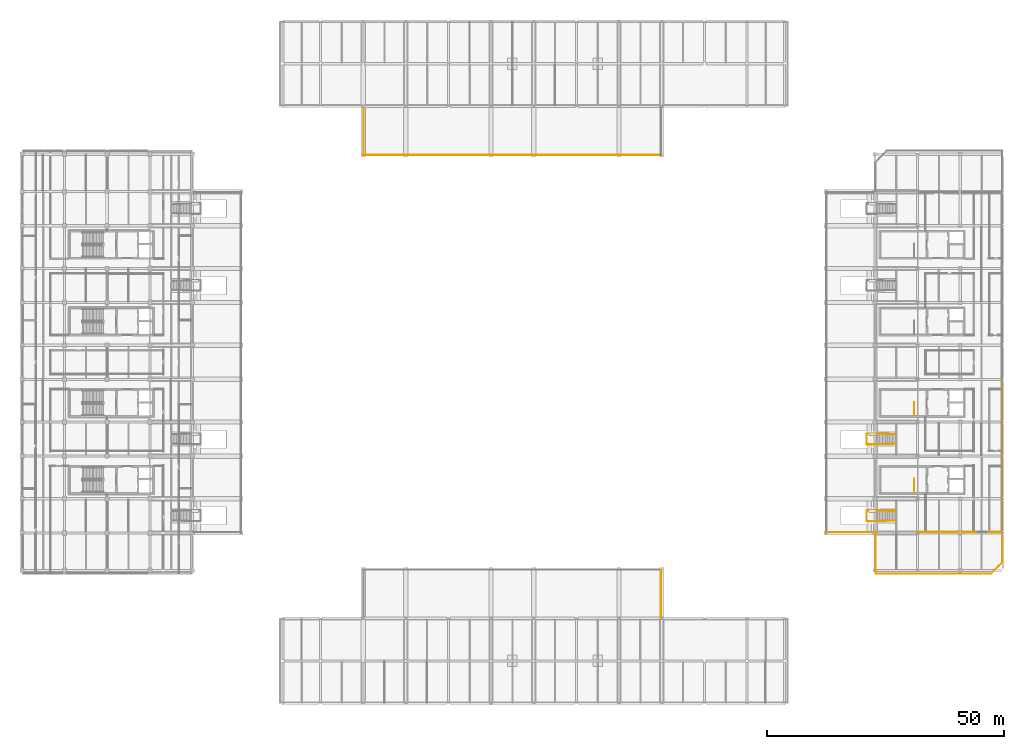
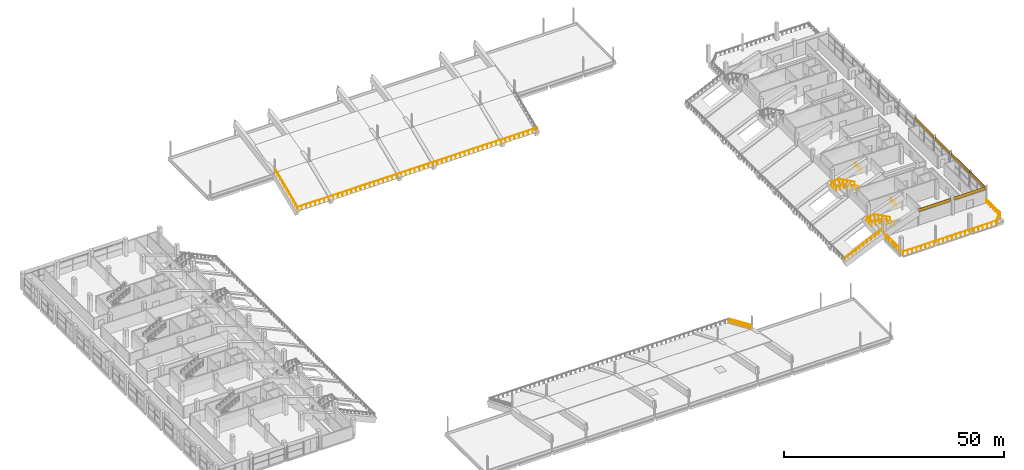
# One storey, part 65 of 66: 12 railings, 6 coverings.
"""IFC4 building model written with IfcOpenShell, lengths in metres."""

from ifc_helpers import new_model, si_unit, direction, frame, origin, origin_2d, place, context, subcontext, project, spatial, rectangle, circle, extrude, material, layer, layer_set, type_object, element, save


model = new_model("IFC4")

# Units and contexts
model_context = context("Model", 3, precision=1e-05, world=origin(), true_north=direction((0.0, 1.0)))
body_context = subcontext(model_context, "Body", "Model", "MODEL_VIEW")
ifc_project = project(units=[si_unit("LENGTHUNIT", "METRE"), si_unit("AREAUNIT", "SQUARE_METRE"), si_unit("VOLUMEUNIT", "CUBIC_METRE"), si_unit("PLANEANGLEUNIT", "RADIAN"), si_unit("MASSUNIT", "GRAM", prefix="KILO"), si_unit("THERMODYNAMICTEMPERATUREUNIT", "KELVIN"), si_unit("POWERUNIT", "WATT")], contexts=[model_context])

# Site, building, storey
site_placement = place(None, origin())
site = spatial("IfcSite", under=ifc_project, at=site_placement, CompositionType="ELEMENT")
building_placement = place(site_placement, origin())
building = spatial("IfcBuilding", under=site, at=building_placement, Name="Sindhuravela Promenade Stadium", CompositionType="ELEMENT")
storey_placement = place(building_placement, frame((0.0, 0.0, 19.199951171875)))
storey = spatial("IfcBuildingStorey", under=building, at=storey_placement, Name="L04", CompositionType="ELEMENT", Elevation=19.199951171875)

# Coverings
ifc_material_1 = material(Name="Polychrome trencadis ceramic mosaic", Category="masonry")
ifc_layer_1 = layer(ifc_material_1, 0.034912109375)
ifc_layer_set_1 = layer_set([ifc_layer_1], Name="Polychrome trencadis ceramic mosaic")
covering_type_1 = type_object("IfcCoveringType", Name="CV-TRENC-1", PredefinedType="CLADDING", material=ifc_layer_set_1)
for number, where, z_axis, x_axis, name in (
    (1, (206.820068359375, 72.89990234375, 3.55517578125), (0.0, 0.0, 1.0), (0.0, -1.0, 0.0), "Trencadis ceramic mosaic spandrel frieze EAST L04-234"),
    (2, (206.820068359375, 56.699951171875, 3.55517578125), (0.0, 0.0, 1.0), (0.0, -1.0, 0.0), "Trencadis ceramic mosaic spandrel frieze EAST L04-236"),
):
    element("IfcCovering", number, at=place(storey_placement, frame(where, z_axis=z_axis, x_axis=x_axis)), inside=storey, type_object=covering_type_1, Name=name, PredefinedType="CLADDING", context=body_context, shape_type="SweptSolid", body=[
        extrude(rectangle(XDim=8.570068359375, YDim=0.034912109375, at=origin_2d()), origin(), (0.0, 0.0, 1.0), 0.905029296875),
    ])
covering_1_placement = place(storey_placement, frame((202.590087890625, 45.179931640625, 3.55517578125), z_axis=(0.0, 0.0, 1.0), x_axis=(-1.0, 0.0, 0.0)))
element("IfcCovering", 3, at=covering_1_placement, inside=storey, type_object=covering_type_1, Name="Trencadis ceramic mosaic spandrel frieze EAST L04-238", PredefinedType="CLADDING", context=body_context, shape_type="SweptSolid", body=[
    extrude(rectangle(XDim=8.300048828125, YDim=0.034912109375, at=origin_2d()), origin(), (0.0, 0.0, 1.0), 0.905029296875),
])
ifc_layer_2 = layer(ifc_material_1, 0.050048828125)
ifc_layer_set_2 = layer_set([ifc_layer_2], Name="Polychrome trencadis ceramic mosaic")
covering_type_2 = type_object("IfcCoveringType", Name="CV-TRENC-2", PredefinedType="CLADDING", material=ifc_layer_set_2)
covering_2_placement = place(storey_placement, frame((206.820068359375, 64.800048828125, 3.55517578125), z_axis=(0.0, 0.0, 1.0), x_axis=(0.0, -1.0, 0.0)))
element("IfcCovering", 4, at=covering_2_placement, inside=storey, type_object=covering_type_2, Name="Trencadis ceramic mosaic spandrel frieze EAST L04-235", PredefinedType="CLADDING", context=body_context, shape_type="SweptSolid", body=[
    extrude(rectangle(XDim=6.77001953125, YDim=0.050048828125, at=origin_2d()), origin(), (0.0, 0.0, 1.0), 0.905029296875),
])
covering_3_placement = place(storey_placement, frame((206.820068359375, 48.62255859375, 3.55517578125), z_axis=(0.0, 0.0, 1.0), x_axis=(0.0, -1.0, 0.0)))
element("IfcCovering", 5, at=covering_3_placement, inside=storey, type_object=covering_type_2, Name="Trencadis ceramic mosaic spandrel frieze EAST L04-237", PredefinedType="CLADDING", context=body_context, shape_type="SweptSolid", body=[
    extrude(rectangle(XDim=6.72509765625, YDim=0.050048828125, at=origin_2d()), origin(), (0.0, 0.0, 1.0), 0.905029296875),
])
covering_4_placement = place(storey_placement, frame((193.387451171875, 45.179931640625, 3.55517578125), z_axis=(0.0, 0.0, 1.0), x_axis=(-1.0, 0.0, 0.0)))
element("IfcCovering", 6, at=covering_4_placement, inside=storey, type_object=covering_type_2, Name="Trencadis ceramic mosaic spandrel frieze EAST L04-239", PredefinedType="CLADDING", context=body_context, shape_type="SweptSolid", body=[
    extrude(rectangle(XDim=8.344970703125, YDim=0.050048828125, at=origin_2d()), origin(), (0.0, 0.0, 1.0), 0.905029296875),
])

# Railings
ifc_material_2 = material(Name="Architectural wrought steel E350", Category="steel")
railing_type_1 = type_object("IfcRailingType", Name="RL-BAL-1150", PredefinedType="BALUSTRADE", material=ifc_material_2)
railing_1_placement = place(storey_placement, frame((180.139892578125, 36.389892578125, 0.0)))
element("IfcRailing", 7, at=railing_1_placement, inside=storey, type_object=railing_type_1, Name="Terrace wrought balustrade BL01-33", PredefinedType="BALUSTRADE", context=body_context, shape_type="SweptSolid", body=[
    extrude(circle(Radius=0.02392578125, at=origin_2d()), frame((0.0, 0.0, 1.1259765625), z_axis=(0.0, 1.0, 0.0), x_axis=(-1.0, 0.0, 0.0)), (0.0, 0.0, 1.0), 8.47021484375),
    extrude(circle(Radius=0.02099609375, at=origin_2d()), origin(), (0.0, 0.0, 1.0), 1.101806640625),
    extrude(circle(Radius=0.02099609375, at=origin_2d()), frame((0.0, 1.058837890625, 0.0)), (0.0, 0.0, 1.0), 1.101806640625),
    extrude(circle(Radius=0.02099609375, at=origin_2d()), frame((0.0, 2.11767578125, 0.0)), (0.0, 0.0, 1.0), 1.101806640625),
    extrude(circle(Radius=0.02099609375, at=origin_2d()), frame((0.0, 3.17626953125, 0.0)), (0.0, 0.0, 1.0), 1.101806640625),
    extrude(circle(Radius=0.02099609375, at=origin_2d()), frame((0.0, 4.235107421875, 0.0)), (0.0, 0.0, 1.0), 1.101806640625),
    extrude(circle(Radius=0.02099609375, at=origin_2d()), frame((0.0, 5.2939453125, 0.0)), (0.0, 0.0, 1.0), 1.101806640625),
    extrude(circle(Radius=0.02099609375, at=origin_2d()), frame((0.0, 6.3525390625, 0.0)), (0.0, 0.0, 1.0), 1.101806640625),
    extrude(circle(Radius=0.02099609375, at=origin_2d()), frame((0.0, 7.411376953125, 0.0)), (0.0, 0.0, 1.0), 1.101806640625),
    extrude(circle(Radius=0.02099609375, at=origin_2d()), frame((0.0, 8.47021484375, 0.0)), (0.0, 0.0, 1.0), 1.101806640625),
])
railing_2_placement = place(storey_placement, frame((206.860107421875, 44.860107421875, 0.0)))
element("IfcRailing", 8, at=railing_2_placement, inside=storey, type_object=railing_type_1, Name="Terrace wrought balustrade BL01-34", PredefinedType="BALUSTRADE", context=body_context, shape_type="SweptSolid", body=[
    extrude(circle(Radius=0.02392578125, at=origin_2d()), frame((0.0, 0.0, 1.1259765625), z_axis=(0.0, -1.0, 0.0), x_axis=(1.0, 0.0, 0.0)), (0.0, 0.0, 1.0), 6.10205078125),
    extrude(circle(Radius=0.02099609375, at=origin_2d()), origin(), (0.0, 0.0, 1.0), 1.101806640625),
    extrude(circle(Radius=0.02099609375, at=origin_2d()), frame((0.0, -1.01708984375, 0.0)), (0.0, 0.0, 1.0), 1.101806640625),
    extrude(circle(Radius=0.02099609375, at=origin_2d()), frame((0.0, -2.033935546875, 0.0)), (0.0, 0.0, 1.0), 1.101806640625),
    extrude(circle(Radius=0.02099609375, at=origin_2d()), frame((0.0, -3.051025390625, 0.0)), (0.0, 0.0, 1.0), 1.101806640625),
    extrude(circle(Radius=0.02099609375, at=origin_2d()), frame((0.0, -4.068115234375, 0.0)), (0.0, 0.0, 1.0), 1.101806640625),
    extrude(circle(Radius=0.02099609375, at=origin_2d()), frame((0.0, -5.0849609375, 0.0)), (0.0, 0.0, 1.0), 1.101806640625),
    extrude(circle(Radius=0.02099609375, at=origin_2d()), frame((0.0, -6.10205078125, 0.0)), (0.0, 0.0, 1.0), 1.101806640625),
])
railing_3_placement = place(storey_placement, frame((206.860107421875, 38.758056640625, 0.0)))
element("IfcRailing", 9, at=railing_3_placement, inside=storey, type_object=railing_type_1, Name="Terrace wrought balustrade BL01-35", PredefinedType="BALUSTRADE", context=body_context, shape_type="SweptSolid", body=[
    extrude(circle(Radius=0.02392578125, at=origin_2d()), frame((0.0, 0.0, 1.1259765625), z_axis=(-0.7071067811865475, -0.7071067811865475, 0.0), x_axis=(0.7071067811865476, -0.7071067811865476, 0.0)), (0.0, 0.0, 1.0), 3.34912109375),
    extrude(circle(Radius=0.02099609375, at=origin_2d()), origin(), (0.0, 0.0, 1.0), 1.101806640625),
    extrude(circle(Radius=0.02099609375, at=origin_2d()), frame((-0.789306640625, -0.789306640625, 0.0)), (0.0, 0.0, 1.0), 1.101806640625),
    extrude(circle(Radius=0.02099609375, at=origin_2d()), frame((-1.578857421875, -1.578857421875, 0.0)), (0.0, 0.0, 1.0), 1.101806640625),
    extrude(circle(Radius=0.02099609375, at=origin_2d()), frame((-2.3681640625, -2.3681640625, 0.0)), (0.0, 0.0, 1.0), 1.101806640625),
])
railing_4_placement = place(storey_placement, frame((204.491943359375, 36.389892578125, 0.0)))
element("IfcRailing", 10, at=railing_4_placement, inside=storey, type_object=railing_type_1, Name="Terrace wrought balustrade BL01-36", PredefinedType="BALUSTRADE", context=body_context, shape_type="SweptSolid", body=[
    extrude(circle(Radius=0.02392578125, at=origin_2d()), frame((0.0, 0.0, 1.1259765625), z_axis=(-1.0, 0.0, 0.0), x_axis=(0.0, -1.0, 0.0)), (0.0, 0.0, 1.0), 24.35205078125),
    extrude(circle(Radius=0.02099609375, at=origin_2d()), origin(), (0.0, 0.0, 1.0), 1.101806640625),
    extrude(circle(Radius=0.02099609375, at=origin_2d()), frame((-1.15966796875, 0.0, 0.0)), (0.0, 0.0, 1.0), 1.101806640625),
    extrude(circle(Radius=0.02099609375, at=origin_2d()), frame((-2.3193359375, 0.0, 0.0)), (0.0, 0.0, 1.0), 1.101806640625),
    extrude(circle(Radius=0.02099609375, at=origin_2d()), frame((-3.478759765625, 0.0, 0.0)), (0.0, 0.0, 1.0), 1.101806640625),
    extrude(circle(Radius=0.02099609375, at=origin_2d()), frame((-4.638427734375, 0.0, 0.0)), (0.0, 0.0, 1.0), 1.101806640625),
    extrude(circle(Radius=0.02099609375, at=origin_2d()), frame((-5.798095703125, 0.0, 0.0)), (0.0, 0.0, 1.0), 1.101806640625),
    extrude(circle(Radius=0.02099609375, at=origin_2d()), frame((-6.957763671875, 0.0, 0.0)), (0.0, 0.0, 1.0), 1.101806640625),
    extrude(circle(Radius=0.02099609375, at=origin_2d()), frame((-8.117431640625, 0.0, 0.0)), (0.0, 0.0, 1.0), 1.101806640625),
    extrude(circle(Radius=0.02099609375, at=origin_2d()), frame((-9.27685546875, 0.0, 0.0)), (0.0, 0.0, 1.0), 1.101806640625),
    extrude(circle(Radius=0.02099609375, at=origin_2d()), frame((-10.4365234375, 0.0, 0.0)), (0.0, 0.0, 1.0), 1.101806640625),
    extrude(circle(Radius=0.02099609375, at=origin_2d()), frame((-11.59619140625, 0.0, 0.0)), (0.0, 0.0, 1.0), 1.101806640625),
    extrude(circle(Radius=0.02099609375, at=origin_2d()), frame((-12.755859375, 0.0, 0.0)), (0.0, 0.0, 1.0), 1.101806640625),
    extrude(circle(Radius=0.02099609375, at=origin_2d()), frame((-13.91552734375, 0.0, 0.0)), (0.0, 0.0, 1.0), 1.101806640625),
    extrude(circle(Radius=0.02099609375, at=origin_2d()), frame((-15.0751953125, 0.0, 0.0)), (0.0, 0.0, 1.0), 1.101806640625),
    extrude(circle(Radius=0.02099609375, at=origin_2d()), frame((-16.234619140625, 0.0, 0.0)), (0.0, 0.0, 1.0), 1.101806640625),
    extrude(circle(Radius=0.02099609375, at=origin_2d()), frame((-17.394287109375, 0.0, 0.0)), (0.0, 0.0, 1.0), 1.101806640625),
    extrude(circle(Radius=0.02099609375, at=origin_2d()), frame((-18.553955078125, 0.0, 0.0)), (0.0, 0.0, 1.0), 1.101806640625),
    extrude(circle(Radius=0.02099609375, at=origin_2d()), frame((-19.713623046875, 0.0, 0.0)), (0.0, 0.0, 1.0), 1.101806640625),
    extrude(circle(Radius=0.02099609375, at=origin_2d()), frame((-20.873291015625, 0.0, 0.0)), (0.0, 0.0, 1.0), 1.101806640625),
    extrude(circle(Radius=0.02099609375, at=origin_2d()), frame((-22.03271484375, 0.0, 0.0)), (0.0, 0.0, 1.0), 1.101806640625),
    extrude(circle(Radius=0.02099609375, at=origin_2d()), frame((-23.1923828125, 0.0, 0.0)), (0.0, 0.0, 1.0), 1.101806640625),
    extrude(circle(Radius=0.02099609375, at=origin_2d()), frame((-24.35205078125, 0.0, 0.0)), (0.0, 0.0, 1.0), 1.101806640625),
])
railing_type_2 = type_object("IfcRailingType", Name="RL-GRD-1150", PredefinedType="GUARDRAIL", material=ifc_material_2)
railing_5_placement = place(storey_placement, frame((169.75, 45.14990234375, -3.39990234375)))
element("IfcRailing", 11, at=railing_5_placement, inside=storey, type_object=railing_type_2, Name="Stand bowl crowd barrier GR01-109", PredefinedType="GUARDRAIL", context=body_context, shape_type="SweptSolid", body=[
    extrude(circle(Radius=0.02392578125, at=origin_2d()), frame((0.0, 0.0, 1.1259765625), z_axis=(0.9032775043542898, 0.0, 0.42905681456828765), x_axis=(0.0, 1.0, 0.0)), (0.0, 0.0, 1.0), 11.07080078125),
    extrude(circle(Radius=0.02099609375, at=origin_2d()), origin(), (0.0, 0.0, 1.0), 1.101806640625),
    extrude(circle(Radius=0.02099609375, at=origin_2d()), frame((1.0, 0.0, 0.47509765625)), (0.0, 0.0, 1.0), 1.101806640625),
    extrude(circle(Radius=0.02099609375, at=origin_2d()), frame((2.0, 0.0, 0.949951171875)), (0.0, 0.0, 1.0), 1.101806640625),
    extrude(circle(Radius=0.02099609375, at=origin_2d()), frame((3.0, 0.0, 1.425048828125)), (0.0, 0.0, 1.0), 1.101806640625),
    extrude(circle(Radius=0.02099609375, at=origin_2d()), frame((4.0, 0.0, 1.89990234375)), (0.0, 0.0, 1.0), 1.101806640625),
    extrude(circle(Radius=0.02099609375, at=origin_2d()), frame((5.0, 0.0, 2.375)), (0.0, 0.0, 1.0), 1.101806640625),
    extrude(circle(Radius=0.02099609375, at=origin_2d()), frame((6.0, 0.0, 2.85009765625)), (0.0, 0.0, 1.0), 1.101806640625),
    extrude(circle(Radius=0.02099609375, at=origin_2d()), frame((7.0, 0.0, 3.324951171875)), (0.0, 0.0, 1.0), 1.101806640625),
    extrude(circle(Radius=0.02099609375, at=origin_2d()), frame((8.0, 0.0, 3.800048828125)), (0.0, 0.0, 1.0), 1.101806640625),
    extrude(circle(Radius=0.02099609375, at=origin_2d()), frame((9.0, 0.0, 4.27490234375)), (0.0, 0.0, 1.0), 1.101806640625),
    extrude(circle(Radius=0.02099609375, at=origin_2d()), frame((10.0, 0.0, 4.75)), (0.0, 0.0, 1.0), 1.101806640625),
])
railing_6_placement = place(storey_placement, frame((134.85009765625, 37.25, -3.39990234375)))
element("IfcRailing", 12, at=railing_6_placement, inside=storey, type_object=railing_type_2, Name="Stand bowl crowd barrier GR01-113", PredefinedType="GUARDRAIL", context=body_context, shape_type="SweptSolid", body=[
    extrude(circle(Radius=0.02392578125, at=origin_2d()), frame((0.0, 0.0, 1.1259765625), z_axis=(0.0, -0.9153183274729262, 0.4027311254325458), x_axis=(1.0, 0.0, 0.0)), (0.0, 0.0, 1.0), 10.925048828125),
    extrude(circle(Radius=0.02099609375, at=origin_2d()), origin(), (0.0, 0.0, 1.0), 1.101806640625),
    extrude(circle(Radius=0.02099609375, at=origin_2d()), frame((0.0, -1.0, 0.43994140625)), (0.0, 0.0, 1.0), 1.101806640625),
    extrude(circle(Radius=0.02099609375, at=origin_2d()), frame((0.0, -2.0, 0.8798828125)), (0.0, 0.0, 1.0), 1.101806640625),
    extrude(circle(Radius=0.02099609375, at=origin_2d()), frame((0.0, -3.0, 1.320068359375)), (0.0, 0.0, 1.0), 1.101806640625),
    extrude(circle(Radius=0.02099609375, at=origin_2d()), frame((0.0, -4.0, 1.760009765625)), (0.0, 0.0, 1.0), 1.101806640625),
    extrude(circle(Radius=0.02099609375, at=origin_2d()), frame((0.0, -5.0, 2.199951171875)), (0.0, 0.0, 1.0), 1.101806640625),
    extrude(circle(Radius=0.02099609375, at=origin_2d()), frame((0.0, -6.0, 2.639892578125)), (0.0, 0.0, 1.0), 1.101806640625),
    extrude(circle(Radius=0.02099609375, at=origin_2d()), frame((0.0, -7.0, 3.079833984375)), (0.0, 0.0, 1.0), 1.101806640625),
    extrude(circle(Radius=0.02099609375, at=origin_2d()), frame((0.0, -8.0, 3.52001953125)), (0.0, 0.0, 1.0), 1.101806640625),
    extrude(circle(Radius=0.02099609375, at=origin_2d()), frame((0.0, -9.0, 3.9599609375)), (0.0, 0.0, 1.0), 1.101806640625),
    extrude(circle(Radius=0.02099609375, at=origin_2d()), frame((0.0, -10.0, 4.39990234375)), (0.0, 0.0, 1.0), 1.101806640625),
])
railing_7_placement = place(storey_placement, frame((72.0, 124.75, -3.39990234375)))
element("IfcRailing", 13, at=railing_7_placement, inside=storey, type_object=railing_type_2, Name="Stand bowl crowd barrier GR01-114", PredefinedType="GUARDRAIL", context=body_context, shape_type="SweptSolid", body=[
    extrude(circle(Radius=0.02392578125, at=origin_2d()), frame((0.0, 0.0, 1.1259765625), z_axis=(1.0, 0.0, 0.0), x_axis=(0.0, 1.0, 0.0)), (0.0, 0.0, 1.0), 63.0),
    extrude(circle(Radius=0.02099609375, at=origin_2d()), origin(), (0.0, 0.0, 1.0), 1.101806640625),
    extrude(circle(Radius=0.02099609375, at=origin_2d()), frame((1.188720703125, 0.0, 0.0)), (0.0, 0.0, 1.0), 1.101806640625),
    extrude(circle(Radius=0.02099609375, at=origin_2d()), frame((2.37744140625, 0.0, 0.0)), (0.0, 0.0, 1.0), 1.101806640625),
    extrude(circle(Radius=0.02099609375, at=origin_2d()), frame((3.56591796875, 0.0, 0.0)), (0.0, 0.0, 1.0), 1.101806640625),
    extrude(circle(Radius=0.02099609375, at=origin_2d()), frame((4.754638671875, 0.0, 0.0)), (0.0, 0.0, 1.0), 1.101806640625),
    extrude(circle(Radius=0.02099609375, at=origin_2d()), frame((5.943359375, 0.0, 0.0)), (0.0, 0.0, 1.0), 1.101806640625),
    extrude(circle(Radius=0.02099609375, at=origin_2d()), frame((7.132080078125, 0.0, 0.0)), (0.0, 0.0, 1.0), 1.101806640625),
    extrude(circle(Radius=0.02099609375, at=origin_2d()), frame((8.32080078125, 0.0, 0.0)), (0.0, 0.0, 1.0), 1.101806640625),
    extrude(circle(Radius=0.02099609375, at=origin_2d()), frame((9.509521484375, 0.0, 0.0)), (0.0, 0.0, 1.0), 1.101806640625),
    extrude(circle(Radius=0.02099609375, at=origin_2d()), frame((10.697998046875, 0.0, 0.0)), (0.0, 0.0, 1.0), 1.101806640625),
    extrude(circle(Radius=0.02099609375, at=origin_2d()), frame((11.88671875, 0.0, 0.0)), (0.0, 0.0, 1.0), 1.101806640625),
    extrude(circle(Radius=0.02099609375, at=origin_2d()), frame((13.075439453125, 0.0, 0.0)), (0.0, 0.0, 1.0), 1.101806640625),
    extrude(circle(Radius=0.02099609375, at=origin_2d()), frame((14.26416015625, 0.0, 0.0)), (0.0, 0.0, 1.0), 1.101806640625),
    extrude(circle(Radius=0.02099609375, at=origin_2d()), frame((15.452880859375, 0.0, 0.0)), (0.0, 0.0, 1.0), 1.101806640625),
    extrude(circle(Radius=0.02099609375, at=origin_2d()), frame((16.6416015625, 0.0, 0.0)), (0.0, 0.0, 1.0), 1.101806640625),
    extrude(circle(Radius=0.02099609375, at=origin_2d()), frame((17.830078125, 0.0, 0.0)), (0.0, 0.0, 1.0), 1.101806640625),
    extrude(circle(Radius=0.02099609375, at=origin_2d()), frame((19.018798828125, 0.0, 0.0)), (0.0, 0.0, 1.0), 1.101806640625),
    extrude(circle(Radius=0.02099609375, at=origin_2d()), frame((20.20751953125, 0.0, 0.0)), (0.0, 0.0, 1.0), 1.101806640625),
    extrude(circle(Radius=0.02099609375, at=origin_2d()), frame((21.396240234375, 0.0, 0.0)), (0.0, 0.0, 1.0), 1.101806640625),
    extrude(circle(Radius=0.02099609375, at=origin_2d()), frame((22.5849609375, 0.0, 0.0)), (0.0, 0.0, 1.0), 1.101806640625),
    extrude(circle(Radius=0.02099609375, at=origin_2d()), frame((23.773681640625, 0.0, 0.0)), (0.0, 0.0, 1.0), 1.101806640625),
    extrude(circle(Radius=0.02099609375, at=origin_2d()), frame((24.962158203125, 0.0, 0.0)), (0.0, 0.0, 1.0), 1.101806640625),
    extrude(circle(Radius=0.02099609375, at=origin_2d()), frame((26.15087890625, 0.0, 0.0)), (0.0, 0.0, 1.0), 1.101806640625),
    extrude(circle(Radius=0.02099609375, at=origin_2d()), frame((27.339599609375, 0.0, 0.0)), (0.0, 0.0, 1.0), 1.101806640625),
    extrude(circle(Radius=0.02099609375, at=origin_2d()), frame((28.5283203125, 0.0, 0.0)), (0.0, 0.0, 1.0), 1.101806640625),
    extrude(circle(Radius=0.02099609375, at=origin_2d()), frame((29.717041015625, 0.0, 0.0)), (0.0, 0.0, 1.0), 1.101806640625),
    extrude(circle(Radius=0.02099609375, at=origin_2d()), frame((30.90576171875, 0.0, 0.0)), (0.0, 0.0, 1.0), 1.101806640625),
    extrude(circle(Radius=0.02099609375, at=origin_2d()), frame((32.09423828125, 0.0, 0.0)), (0.0, 0.0, 1.0), 1.101806640625),
    extrude(circle(Radius=0.02099609375, at=origin_2d()), frame((33.282958984375, 0.0, 0.0)), (0.0, 0.0, 1.0), 1.101806640625),
    extrude(circle(Radius=0.02099609375, at=origin_2d()), frame((34.4716796875, 0.0, 0.0)), (0.0, 0.0, 1.0), 1.101806640625),
    extrude(circle(Radius=0.02099609375, at=origin_2d()), frame((35.660400390625, 0.0, 0.0)), (0.0, 0.0, 1.0), 1.101806640625),
    extrude(circle(Radius=0.02099609375, at=origin_2d()), frame((36.84912109375, 0.0, 0.0)), (0.0, 0.0, 1.0), 1.101806640625),
    extrude(circle(Radius=0.02099609375, at=origin_2d()), frame((38.037841796875, 0.0, 0.0)), (0.0, 0.0, 1.0), 1.101806640625),
    extrude(circle(Radius=0.02099609375, at=origin_2d()), frame((39.226318359375, 0.0, 0.0)), (0.0, 0.0, 1.0), 1.101806640625),
    extrude(circle(Radius=0.02099609375, at=origin_2d()), frame((40.4150390625, 0.0, 0.0)), (0.0, 0.0, 1.0), 1.101806640625),
    extrude(circle(Radius=0.02099609375, at=origin_2d()), frame((41.603759765625, 0.0, 0.0)), (0.0, 0.0, 1.0), 1.101806640625),
    extrude(circle(Radius=0.02099609375, at=origin_2d()), frame((42.79248046875, 0.0, 0.0)), (0.0, 0.0, 1.0), 1.101806640625),
    extrude(circle(Radius=0.02099609375, at=origin_2d()), frame((43.981201171875, 0.0, 0.0)), (0.0, 0.0, 1.0), 1.101806640625),
    extrude(circle(Radius=0.02099609375, at=origin_2d()), frame((45.169921875, 0.0, 0.0)), (0.0, 0.0, 1.0), 1.101806640625),
    extrude(circle(Radius=0.02099609375, at=origin_2d()), frame((46.3583984375, 0.0, 0.0)), (0.0, 0.0, 1.0), 1.101806640625),
    extrude(circle(Radius=0.02099609375, at=origin_2d()), frame((47.547119140625, 0.0, 0.0)), (0.0, 0.0, 1.0), 1.101806640625),
    extrude(circle(Radius=0.02099609375, at=origin_2d()), frame((48.73583984375, 0.0, 0.0)), (0.0, 0.0, 1.0), 1.101806640625),
    extrude(circle(Radius=0.02099609375, at=origin_2d()), frame((49.924560546875, 0.0, 0.0)), (0.0, 0.0, 1.0), 1.101806640625),
    extrude(circle(Radius=0.02099609375, at=origin_2d()), frame((51.11328125, 0.0, 0.0)), (0.0, 0.0, 1.0), 1.101806640625),
    extrude(circle(Radius=0.02099609375, at=origin_2d()), frame((52.302001953125, 0.0, 0.0)), (0.0, 0.0, 1.0), 1.101806640625),
    extrude(circle(Radius=0.02099609375, at=origin_2d()), frame((53.490478515625, 0.0, 0.0)), (0.0, 0.0, 1.0), 1.101806640625),
    extrude(circle(Radius=0.02099609375, at=origin_2d()), frame((54.67919921875, 0.0, 0.0)), (0.0, 0.0, 1.0), 1.101806640625),
    extrude(circle(Radius=0.02099609375, at=origin_2d()), frame((55.867919921875, 0.0, 0.0)), (0.0, 0.0, 1.0), 1.101806640625),
    extrude(circle(Radius=0.02099609375, at=origin_2d()), frame((57.056640625, 0.0, 0.0)), (0.0, 0.0, 1.0), 1.101806640625),
    extrude(circle(Radius=0.02099609375, at=origin_2d()), frame((58.245361328125, 0.0, 0.0)), (0.0, 0.0, 1.0), 1.101806640625),
    extrude(circle(Radius=0.02099609375, at=origin_2d()), frame((59.43408203125, 0.0, 0.0)), (0.0, 0.0, 1.0), 1.101806640625),
    extrude(circle(Radius=0.02099609375, at=origin_2d()), frame((60.62255859375, 0.0, 0.0)), (0.0, 0.0, 1.0), 1.101806640625),
    extrude(circle(Radius=0.02099609375, at=origin_2d()), frame((61.811279296875, 0.0, 0.0)), (0.0, 0.0, 1.0), 1.101806640625),
    extrude(circle(Radius=0.02099609375, at=origin_2d()), frame((63.0, 0.0, 0.0)), (0.0, 0.0, 1.0), 1.101806640625),
])
railing_8_placement = place(storey_placement, frame((72.14990234375, 124.75, -3.39990234375)))
element("IfcRailing", 14, at=railing_8_placement, inside=storey, type_object=railing_type_2, Name="Stand bowl crowd barrier GR01-115", PredefinedType="GUARDRAIL", context=body_context, shape_type="SweptSolid", body=[
    extrude(circle(Radius=0.02392578125, at=origin_2d()), frame((0.0, 0.0, 1.1259765625), z_axis=(0.0, 0.9153183274729262, 0.4027311254325458), x_axis=(-1.0, 0.0, 0.0)), (0.0, 0.0, 1.0), 10.925048828125),
    extrude(circle(Radius=0.02099609375, at=origin_2d()), origin(), (0.0, 0.0, 1.0), 1.101806640625),
    extrude(circle(Radius=0.02099609375, at=origin_2d()), frame((0.0, 1.0, 0.43994140625)), (0.0, 0.0, 1.0), 1.101806640625),
    extrude(circle(Radius=0.02099609375, at=origin_2d()), frame((0.0, 2.0, 0.8798828125)), (0.0, 0.0, 1.0), 1.101806640625),
    extrude(circle(Radius=0.02099609375, at=origin_2d()), frame((0.0, 3.0, 1.320068359375)), (0.0, 0.0, 1.0), 1.101806640625),
    extrude(circle(Radius=0.02099609375, at=origin_2d()), frame((0.0, 4.0, 1.760009765625)), (0.0, 0.0, 1.0), 1.101806640625),
    extrude(circle(Radius=0.02099609375, at=origin_2d()), frame((0.0, 5.0, 2.199951171875)), (0.0, 0.0, 1.0), 1.101806640625),
    extrude(circle(Radius=0.02099609375, at=origin_2d()), frame((0.0, 6.0, 2.639892578125)), (0.0, 0.0, 1.0), 1.101806640625),
    extrude(circle(Radius=0.02099609375, at=origin_2d()), frame((0.0, 7.0, 3.079833984375)), (0.0, 0.0, 1.0), 1.101806640625),
    extrude(circle(Radius=0.02099609375, at=origin_2d()), frame((0.0, 8.0, 3.52001953125)), (0.0, 0.0, 1.0), 1.101806640625),
    extrude(circle(Radius=0.02099609375, at=origin_2d()), frame((0.0, 9.0, 3.9599609375)), (0.0, 0.0, 1.0), 1.101806640625),
    extrude(circle(Radius=0.02099609375, at=origin_2d()), frame((0.0, 10.0, 4.39990234375)), (0.0, 0.0, 1.0), 1.101806640625),
])
railing_9_placement = place(storey_placement, frame((188.280029296875, 53.56005859375, 0.0)))
element("IfcRailing", 15, at=railing_9_placement, inside=storey, type_object=railing_type_2, Name="Stair ST05 top landing well guard (L04)", PredefinedType="GUARDRAIL", context=body_context, shape_type="SweptSolid", body=[
    extrude(circle(Radius=0.02392578125, at=origin_2d()), frame((0.0, 0.0, 1.1259765625), z_axis=(0.0, 1.0, 0.0), x_axis=(-1.0, 0.0, 0.0)), (0.0, 0.0, 1.0), 2.829833984375),
    extrude(circle(Radius=0.02099609375, at=origin_2d()), origin(), (0.0, 0.0, 1.0), 1.101806640625),
    extrude(circle(Radius=0.02099609375, at=origin_2d()), frame((0.0, 0.943359375, 0.0)), (0.0, 0.0, 1.0), 1.101806640625),
    extrude(circle(Radius=0.02099609375, at=origin_2d()), frame((0.0, 1.886474609375, 0.0)), (0.0, 0.0, 1.0), 1.101806640625),
    extrude(circle(Radius=0.02099609375, at=origin_2d()), frame((0.0, 2.829833984375, 0.0)), (0.0, 0.0, 1.0), 1.101806640625),
])
railing_10_placement = place(storey_placement, frame((188.280029296875, 69.760009765625, 0.0)))
element("IfcRailing", 16, at=railing_10_placement, inside=storey, type_object=railing_type_2, Name="Stair ST06 top landing well guard (L04)", PredefinedType="GUARDRAIL", context=body_context, shape_type="SweptSolid", body=[
    extrude(circle(Radius=0.02392578125, at=origin_2d()), frame((0.0, 0.0, 1.1259765625), z_axis=(0.0, 1.0, 0.0), x_axis=(-1.0, 0.0, 0.0)), (0.0, 0.0, 1.0), 2.830078125),
    extrude(circle(Radius=0.02099609375, at=origin_2d()), origin(), (0.0, 0.0, 1.0), 1.101806640625),
    extrude(circle(Radius=0.02099609375, at=origin_2d()), frame((0.0, 0.943359375, 0.0)), (0.0, 0.0, 1.0), 1.101806640625),
    extrude(circle(Radius=0.02099609375, at=origin_2d()), frame((0.0, 1.88671875, 0.0)), (0.0, 0.0, 1.0), 1.101806640625),
    extrude(circle(Radius=0.02099609375, at=origin_2d()), frame((0.0, 2.830078125, 0.0)), (0.0, 0.0, 1.0), 1.101806640625),
])
railing_11_placement = place(storey_placement, frame((184.35009765625, 65.800048828125, 0.0)))
element("IfcRailing", 17, at=railing_11_placement, inside=storey, type_object=railing_type_2, Name="Vomitory VS15 flight & platform guard", PredefinedType="GUARDRAIL", context=body_context, shape_type="SweptSolid", body=[
    extrude(circle(Radius=0.02392578125, at=origin_2d()), frame((0.0, 0.0, 1.1259765625), z_axis=(-0.8864507420042823, 0.028569200626781255, 0.4619403454728804), x_axis=(-0.032212026586737615, -0.9994810580211989, 0.0)), (0.0, 0.0, 1.0), 4.546142578125),
    extrude(circle(Radius=0.02392578125, at=origin_2d()), frame((-4.030029296875, 0.1298828125, 3.22607421875), z_axis=(-1.0, 0.0, 0.0), x_axis=(0.0, -1.0, 0.0)), (0.0, 0.0, 1.0), 2.070068359375),
    extrude(circle(Radius=0.02392578125, at=origin_2d()), frame((-6.10009765625, 0.1298828125, 3.22607421875), z_axis=(0.0, -1.0, 0.0), x_axis=(1.0, 0.0, 0.0)), (0.0, 0.0, 1.0), 2.260009765625),
    extrude(circle(Radius=0.02392578125, at=origin_2d()), frame((-6.10009765625, -2.130126953125, 3.22607421875), z_axis=(1.0, 0.0, 0.0), x_axis=(0.0, 1.0, 0.0)), (0.0, 0.0, 1.0), 2.070068359375),
    extrude(circle(Radius=0.02392578125, at=origin_2d()), frame((-4.030029296875, -2.130126953125, 3.22607421875), z_axis=(0.8864493807284547, 0.028622858177031946, -0.4619396360953636), x_axis=(-0.032272512505375314, 0.999479106803434, 0.0)), (0.0, 0.0, 1.0), 4.546142578125),
    extrude(circle(Radius=0.02099609375, at=origin_2d()), origin(), (0.0, 0.0, 1.0), 1.101806640625),
    extrude(circle(Radius=0.02099609375, at=origin_2d()), frame((-1.007568359375, 0.032470703125, 0.52490234375)), (0.0, 0.0, 1.0), 1.101806640625),
    extrude(circle(Radius=0.02099609375, at=origin_2d()), frame((-2.01513671875, 0.06494140625, 1.050048828125)), (0.0, 0.0, 1.0), 1.101806640625),
    extrude(circle(Radius=0.02099609375, at=origin_2d()), frame((-3.0224609375, 0.097412109375, 1.5751953125)), (0.0, 0.0, 1.0), 1.101806640625),
    extrude(circle(Radius=0.02099609375, at=origin_2d()), frame((-4.030029296875, 0.1298828125, 2.10009765625)), (0.0, 0.0, 1.0), 1.101806640625),
    extrude(circle(Radius=0.02099609375, at=origin_2d()), frame((-5.06494140625, 0.1298828125, 2.10009765625)), (0.0, 0.0, 1.0), 1.101806640625),
    extrude(circle(Radius=0.02099609375, at=origin_2d()), frame((-6.10009765625, 0.1298828125, 2.10009765625)), (0.0, 0.0, 1.0), 1.101806640625),
    extrude(circle(Radius=0.02099609375, at=origin_2d()), frame((-6.10009765625, -1.0, 2.10009765625)), (0.0, 0.0, 1.0), 1.101806640625),
    extrude(circle(Radius=0.02099609375, at=origin_2d()), frame((-6.10009765625, -2.130126953125, 2.10009765625)), (0.0, 0.0, 1.0), 1.101806640625),
    extrude(circle(Radius=0.02099609375, at=origin_2d()), frame((-5.06494140625, -2.130126953125, 2.10009765625)), (0.0, 0.0, 1.0), 1.101806640625),
    extrude(circle(Radius=0.02099609375, at=origin_2d()), frame((-4.030029296875, -2.130126953125, 2.10009765625)), (0.0, 0.0, 1.0), 1.101806640625),
    extrude(circle(Radius=0.02099609375, at=origin_2d()), frame((-3.0224609375, -2.09765625, 1.5751953125)), (0.0, 0.0, 1.0), 1.101806640625),
    extrude(circle(Radius=0.02099609375, at=origin_2d()), frame((-2.01513671875, -2.06494140625, 1.050048828125)), (0.0, 0.0, 1.0), 1.101806640625),
    extrude(circle(Radius=0.02099609375, at=origin_2d()), frame((-1.007568359375, -2.032470703125, 0.52490234375)), (0.0, 0.0, 1.0), 1.101806640625),
    extrude(circle(Radius=0.02099609375, at=origin_2d()), frame((0.0, -2.0, 0.0)), (0.0, 0.0, 1.0), 1.101806640625),
])
railing_12_placement = place(storey_placement, frame((184.35009765625, 49.60009765625, 0.0)))
element("IfcRailing", 18, at=railing_12_placement, inside=storey, type_object=railing_type_2, Name="Vomitory CS03 flight & platform guard", PredefinedType="GUARDRAIL", context=body_context, shape_type="SweptSolid", body=[
    extrude(circle(Radius=0.02392578125, at=origin_2d()), frame((0.0, 0.0, 1.1259765625), z_axis=(-0.8864507420042823, 0.028569200626781255, 0.4619403454728804), x_axis=(-0.032212026586737615, -0.9994810580211989, 0.0)), (0.0, 0.0, 1.0), 4.546142578125),
    extrude(circle(Radius=0.02392578125, at=origin_2d()), frame((-4.030029296875, 0.1298828125, 3.22607421875), z_axis=(-1.0, 0.0, 0.0), x_axis=(0.0, -1.0, 0.0)), (0.0, 0.0, 1.0), 2.070068359375),
    extrude(circle(Radius=0.02392578125, at=origin_2d()), frame((-6.10009765625, 0.1298828125, 3.22607421875), z_axis=(0.0, -1.0, 0.0), x_axis=(1.0, 0.0, 0.0)), (0.0, 0.0, 1.0), 2.260009765625),
    extrude(circle(Radius=0.02392578125, at=origin_2d()), frame((-6.10009765625, -2.130126953125, 3.22607421875), z_axis=(1.0, 0.0, 0.0), x_axis=(0.0, 1.0, 0.0)), (0.0, 0.0, 1.0), 2.070068359375),
    extrude(circle(Radius=0.02392578125, at=origin_2d()), frame((-4.030029296875, -2.130126953125, 3.22607421875), z_axis=(0.8864493807284547, 0.028622858177031946, -0.4619396360953636), x_axis=(-0.032272512505375314, 0.999479106803434, 0.0)), (0.0, 0.0, 1.0), 4.546142578125),
    extrude(circle(Radius=0.02099609375, at=origin_2d()), origin(), (0.0, 0.0, 1.0), 1.101806640625),
    extrude(circle(Radius=0.02099609375, at=origin_2d()), frame((-1.007568359375, 0.032470703125, 0.52490234375)), (0.0, 0.0, 1.0), 1.101806640625),
    extrude(circle(Radius=0.02099609375, at=origin_2d()), frame((-2.01513671875, 0.06494140625, 1.050048828125)), (0.0, 0.0, 1.0), 1.101806640625),
    extrude(circle(Radius=0.02099609375, at=origin_2d()), frame((-3.0224609375, 0.097412109375, 1.5751953125)), (0.0, 0.0, 1.0), 1.101806640625),
    extrude(circle(Radius=0.02099609375, at=origin_2d()), frame((-4.030029296875, 0.1298828125, 2.10009765625)), (0.0, 0.0, 1.0), 1.101806640625),
    extrude(circle(Radius=0.02099609375, at=origin_2d()), frame((-5.06494140625, 0.1298828125, 2.10009765625)), (0.0, 0.0, 1.0), 1.101806640625),
    extrude(circle(Radius=0.02099609375, at=origin_2d()), frame((-6.10009765625, 0.1298828125, 2.10009765625)), (0.0, 0.0, 1.0), 1.101806640625),
    extrude(circle(Radius=0.02099609375, at=origin_2d()), frame((-6.10009765625, -1.0, 2.10009765625)), (0.0, 0.0, 1.0), 1.101806640625),
    extrude(circle(Radius=0.02099609375, at=origin_2d()), frame((-6.10009765625, -2.130126953125, 2.10009765625)), (0.0, 0.0, 1.0), 1.101806640625),
    extrude(circle(Radius=0.02099609375, at=origin_2d()), frame((-5.06494140625, -2.130126953125, 2.10009765625)), (0.0, 0.0, 1.0), 1.101806640625),
    extrude(circle(Radius=0.02099609375, at=origin_2d()), frame((-4.030029296875, -2.130126953125, 2.10009765625)), (0.0, 0.0, 1.0), 1.101806640625),
    extrude(circle(Radius=0.02099609375, at=origin_2d()), frame((-3.0224609375, -2.09765625, 1.5751953125)), (0.0, 0.0, 1.0), 1.101806640625),
    extrude(circle(Radius=0.02099609375, at=origin_2d()), frame((-2.01513671875, -2.06494140625, 1.050048828125)), (0.0, 0.0, 1.0), 1.101806640625),
    extrude(circle(Radius=0.02099609375, at=origin_2d()), frame((-1.007568359375, -2.032470703125, 0.52490234375)), (0.0, 0.0, 1.0), 1.101806640625),
    extrude(circle(Radius=0.02099609375, at=origin_2d()), frame((0.0, -2.0, 0.0)), (0.0, 0.0, 1.0), 1.101806640625),
])

save(model, "model.ifc")
